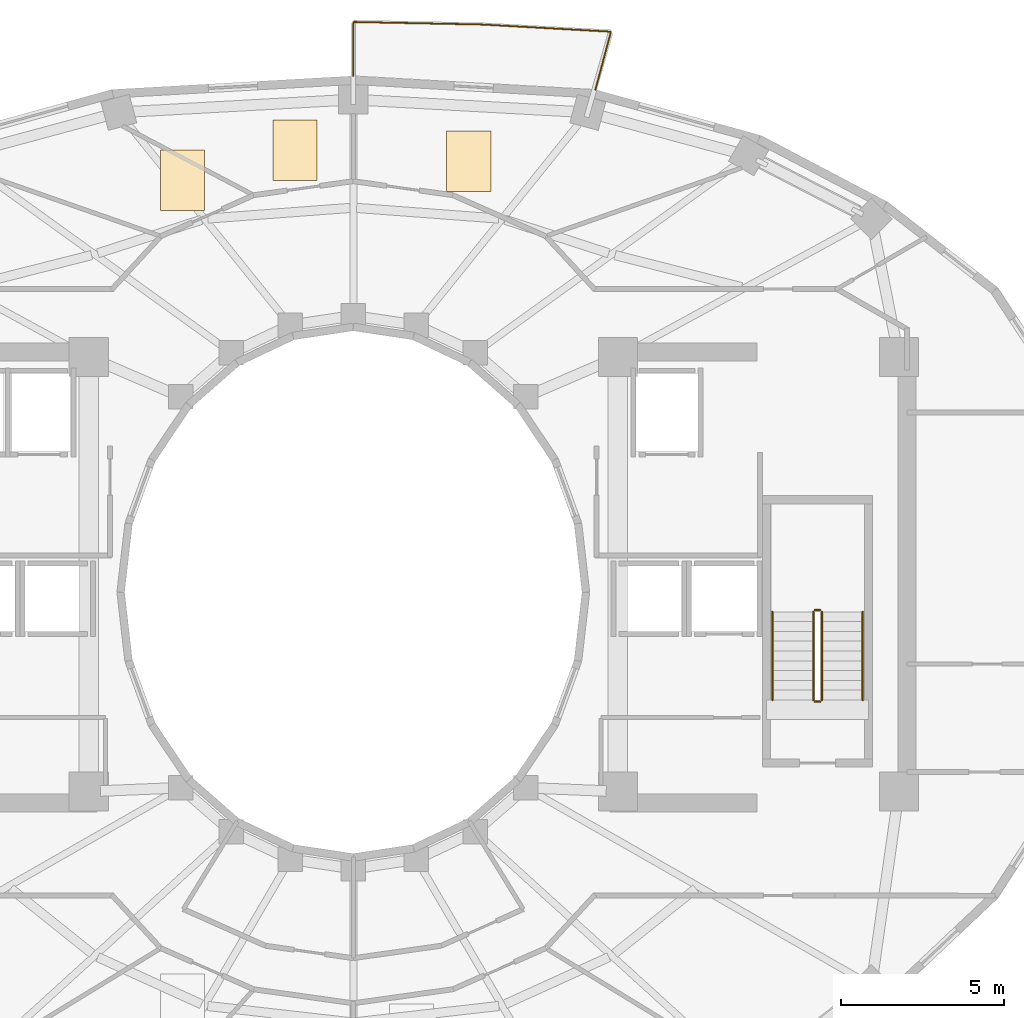
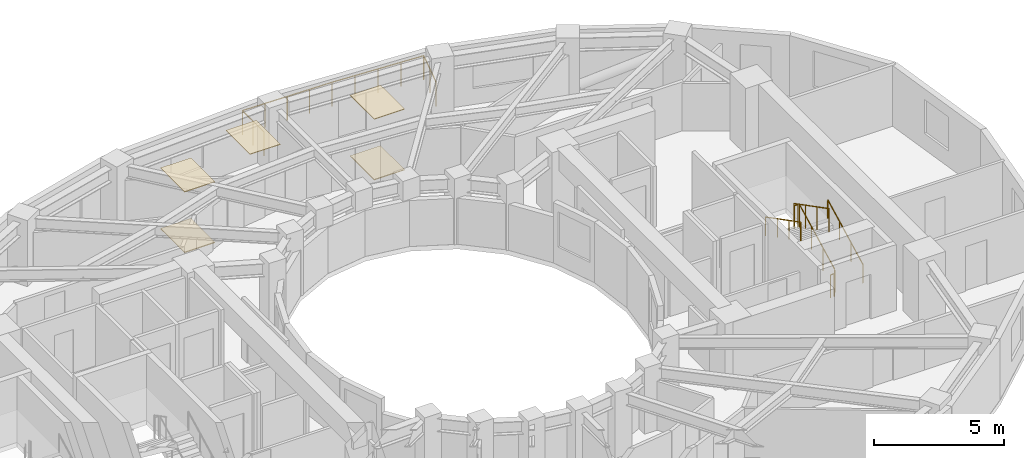
# One storey, part 9 of 9: 7 railings, 5 coverings.
"""IFC4 building model written with IfcOpenShell, lengths in metres."""

from ifc_helpers import new_model, si_unit, direction, frame, origin, origin_2d, place, context, subcontext, project, spatial, polyline, circle, outline, extrude, material, layer, layer_set, type_object, element, save


model = new_model("IFC4")

# Units and contexts
model_context = context("Model", 3, precision=1e-05, world=origin(), true_north=direction((0.0, 1.0)))
body_context = subcontext(model_context, "Body", "Model", "MODEL_VIEW")
ifc_project = project(units=[si_unit("LENGTHUNIT", "METRE"), si_unit("AREAUNIT", "SQUARE_METRE"), si_unit("VOLUMEUNIT", "CUBIC_METRE"), si_unit("PLANEANGLEUNIT", "RADIAN"), si_unit("MASSUNIT", "GRAM", prefix="KILO")], contexts=[model_context])

# Site, building, storey
site_placement = place(None, origin())
site = spatial("IfcSite", under=ifc_project, at=site_placement, CompositionType="ELEMENT")
building_placement = place(site_placement, origin())
building = spatial("IfcBuilding", under=site, at=building_placement, Name="Solvane Sanctuary Tower", CompositionType="ELEMENT")
storey_placement = place(building_placement, frame((0.0, 0.0, 174.60009765625)))
storey = spatial("IfcBuildingStorey", under=building, at=storey_placement, Name="L53", CompositionType="ELEMENT", Elevation=174.60009765625)

# Coverings
ifc_material_1 = material(Name="Acoustic Gypsum Partition Board")
ifc_layer_1 = layer(ifc_material_1, 0.02490234375, Name="Acoustic Gypsum Partition Board")
ifc_layer_set_1 = layer_set([ifc_layer_1], Name="Acoustic Gypsum Partition Board")
covering_type_1 = type_object("IfcCoveringType", Name="Covering CLG-ACOUST", PredefinedType="CEILING", material=ifc_layer_set_1)
covering_1_placement = place(storey_placement, frame((0.0, 0.0, 2.849853515625)))
element("IfcCovering", 1, at=covering_1_placement, inside=storey, type_object=covering_type_1, Name="L53 Unit Acoustic Ceiling Panel 1", PredefinedType="CEILING", context=body_context, shape_type="SweptSolid", body=[
    extrude(outline(polyline([(34.85791015625, 35.260009765625), (36.2080078125, 35.260009765625), (36.2080078125, 37.110107421875), (34.85791015625, 37.110107421875), (34.85791015625, 35.260009765625)])), origin(), (0.0, 0.0, 1.0), 0.030029296875),
])
covering_2_placement = place(storey_placement, frame((0.0, 0.0, 2.849853515625)))
element("IfcCovering", 2, at=covering_2_placement, inside=storey, type_object=covering_type_1, Name="L53 Unit Acoustic Ceiling Panel 2", PredefinedType="CEILING", context=body_context, shape_type="SweptSolid", body=[
    extrude(outline(polyline([(29.54296875, 35.60791015625), (30.89306640625, 35.60791015625), (30.89306640625, 37.4580078125), (29.54296875, 37.4580078125), (29.54296875, 35.60791015625)])), origin(), (0.0, 0.0, 1.0), 0.030029296875),
])
covering_3_placement = place(storey_placement, frame((0.0, 0.0, 2.849853515625)))
element("IfcCovering", 3, at=covering_3_placement, inside=storey, type_object=covering_type_1, Name="L53 Unit Acoustic Ceiling Panel 3", PredefinedType="CEILING", context=body_context, shape_type="SweptSolid", body=[
    extrude(outline(polyline([(26.10107421875, 34.68603515625), (27.450927734375, 34.68603515625), (27.450927734375, 36.535888671875), (26.10107421875, 36.535888671875), (26.10107421875, 34.68603515625)])), origin(), (0.0, 0.0, 1.0), 0.030029296875),
])
ifc_material_2 = material(Name="Ceramic Tile Finish")
ifc_layer_2 = layer(ifc_material_2, 0.030029296875, Name="Ceramic Tile Finish")
ifc_layer_set_2 = layer_set([ifc_layer_2], Name="Ceramic Tile Finish")
covering_type_2 = type_object("IfcCoveringType", Name="Covering FLR-TERRAZZO", PredefinedType="FLOORING", material=ifc_layer_set_2)
covering_4_placement = place(storey_placement, origin())
element("IfcCovering", 4, at=covering_4_placement, inside=storey, type_object=covering_type_2, Name="L53 Unit Terrazzo Inlay 1", PredefinedType="FLOORING", context=body_context, shape_type="SweptSolid", body=[
    extrude(outline(polyline([(34.85791015625, 35.260009765625), (36.2080078125, 35.260009765625), (36.2080078125, 37.110107421875), (34.85791015625, 37.110107421875), (34.85791015625, 35.260009765625)])), origin(), (0.0, 0.0, 1.0), 0.034912109375),
])
covering_5_placement = place(storey_placement, origin())
element("IfcCovering", 5, at=covering_5_placement, inside=storey, type_object=covering_type_2, Name="L53 Unit Terrazzo Inlay 3", PredefinedType="FLOORING", context=body_context, shape_type="SweptSolid", body=[
    extrude(outline(polyline([(26.10107421875, 34.68603515625), (27.450927734375, 34.68603515625), (27.450927734375, 36.535888671875), (26.10107421875, 36.535888671875), (26.10107421875, 34.68603515625)])), origin(), (0.0, 0.0, 1.0), 0.034912109375),
])

# Railings
ifc_material_3 = material(Name="Architectural Stainless Steel 316", Category="steel")
railing_type_1 = type_object("IfcRailingType", Name="Railing GR-BALC-1150", PredefinedType="BALUSTRADE", material=ifc_material_3)
railing_1_placement = place(storey_placement, frame((39.410400390625, 38.3818359375, 0.0)))
element("IfcRailing", 6, at=railing_1_placement, inside=storey, type_object=railing_type_1, Name="L53 Wave Balcony Balustrade NC", PredefinedType="BALUSTRADE", context=body_context, shape_type="SweptSolid", body=[
    extrude(circle(Radius=0.02392578125, at=origin_2d()), frame((0.0, 0.0, 1.1259765625), z_axis=(0.258820206775, 0.965925515019, 0.0), x_axis=(-0.965925515019, 0.258820206775, 0.0)), (0.0, 0.0, 1.0), 1.83740234375),
    extrude(circle(Radius=0.02392578125, at=origin_2d()), frame((0.4755859375, 1.77490234375, 1.1259765625), z_axis=(-0.998449690064, 0.055661624226, 0.0), x_axis=(-0.055661624226, -0.998449690064, 0.0)), (0.0, 0.0, 1.0), 3.951904296875),
    extrude(circle(Radius=0.02392578125, at=origin_2d()), frame((-3.47021484375, 1.994873046875, 1.1259765625), z_axis=(-0.999804714096, 0.019761924766, 0.0), x_axis=(-0.019761924766, -0.999804714096, 0.0)), (0.0, 0.0, 1.0), 3.94091796875),
    extrude(circle(Radius=0.02392578125, at=origin_2d()), frame((-7.410400390625, 2.07275390625, 1.1259765625), z_axis=(0.0, -1.0, 0.0), x_axis=(1.0, 0.0, 0.0)), (0.0, 0.0, 1.0), 1.654541015625),
    extrude(circle(Radius=0.02099609375, at=origin_2d()), origin(), (0.0, 0.0, 1.0), 1.101806640625),
    extrude(circle(Radius=0.02099609375, at=origin_2d()), frame((0.23779296875, 0.887451171875, 0.0)), (0.0, 0.0, 1.0), 1.101806640625),
    extrude(circle(Radius=0.02099609375, at=origin_2d()), frame((0.4755859375, 1.77490234375, 0.0)), (0.0, 0.0, 1.0), 1.101806640625),
    extrude(circle(Radius=0.02099609375, at=origin_2d()), frame((-0.5107421875, 1.829833984375, 0.0)), (0.0, 0.0, 1.0), 1.101806640625),
    extrude(circle(Radius=0.02099609375, at=origin_2d()), frame((-1.497314453125, 1.884765625, 0.0)), (0.0, 0.0, 1.0), 1.101806640625),
    extrude(circle(Radius=0.02099609375, at=origin_2d()), frame((-2.48388671875, 1.93994140625, 0.0)), (0.0, 0.0, 1.0), 1.101806640625),
    extrude(circle(Radius=0.02099609375, at=origin_2d()), frame((-3.47021484375, 1.994873046875, 0.0)), (0.0, 0.0, 1.0), 1.101806640625),
    extrude(circle(Radius=0.02099609375, at=origin_2d()), frame((-4.455322265625, 2.014404296875, 0.0)), (0.0, 0.0, 1.0), 1.101806640625),
    extrude(circle(Radius=0.02099609375, at=origin_2d()), frame((-5.4404296875, 2.03369140625, 0.0)), (0.0, 0.0, 1.0), 1.101806640625),
    extrude(circle(Radius=0.02099609375, at=origin_2d()), frame((-6.42529296875, 2.05322265625, 0.0)), (0.0, 0.0, 1.0), 1.101806640625),
    extrude(circle(Radius=0.02099609375, at=origin_2d()), frame((-7.410400390625, 2.07275390625, 0.0)), (0.0, 0.0, 1.0), 1.101806640625),
    extrude(circle(Radius=0.02099609375, at=origin_2d()), frame((-7.410400390625, 1.24560546875, 0.0)), (0.0, 0.0, 1.0), 1.101806640625),
    extrude(circle(Radius=0.02099609375, at=origin_2d()), frame((-7.410400390625, 0.418212890625, 0.0)), (0.0, 0.0, 1.0), 1.101806640625),
])
railing_2_placement = place(storey_placement, frame((46.340087890625, 19.699951171875, 0.15478515625)))
element("IfcRailing", 7, at=railing_2_placement, inside=storey, type_object=railing_type_1, Name="L53 ST-2 stair guard 1", PredefinedType="BALUSTRADE", context=body_context, shape_type="SweptSolid", body=[
    extrude(circle(Radius=0.02392578125, at=origin_2d()), frame((0.0, 0.0, 1.076171875), z_axis=(0.0, 0.888419900624, 0.459031676658), x_axis=(-1.0, 0.0, 0.0)), (0.0, 0.0, 1.0), 3.0390625),
    extrude(circle(Radius=0.02099609375, at=origin_2d()), origin(), (0.0, 0.0, 1.0), 1.052001953125),
    extrude(circle(Radius=0.02099609375, at=origin_2d()), frame((0.0, 0.89990234375, 0.465087890625)), (0.0, 0.0, 1.0), 1.052001953125),
    extrude(circle(Radius=0.02099609375, at=origin_2d()), frame((0.0, 1.800048828125, 0.929931640625)), (0.0, 0.0, 1.0), 1.052001953125),
    extrude(circle(Radius=0.02099609375, at=origin_2d()), frame((0.0, 2.699951171875, 1.39501953125)), (0.0, 0.0, 1.0), 1.052001953125),
])
railing_3_placement = place(storey_placement, frame((46.2900390625, 22.449951171875, 1.5498046875)))
element("IfcRailing", 8, at=railing_3_placement, inside=storey, type_object=railing_type_1, Name="L53 ST-2 stair guard 2", PredefinedType="BALUSTRADE", context=body_context, shape_type="SweptSolid", body=[
    extrude(circle(Radius=0.02392578125, at=origin_2d()), frame((0.0, 0.0, 1.076171875), z_axis=(-1.0, 0.0, 0.0), x_axis=(0.0, -1.0, 0.0)), (0.0, 0.0, 1.0), 0.16015625),
    extrude(circle(Radius=0.02099609375, at=origin_2d()), origin(), (0.0, 0.0, 1.0), 1.052001953125),
    extrude(circle(Radius=0.02099609375, at=origin_2d()), frame((-0.16015625, 0.0, 0.0)), (0.0, 0.0, 1.0), 1.052001953125),
])
railing_4_placement = place(storey_placement, frame((46.080078125, 22.39990234375, 1.704833984375)))
element("IfcRailing", 9, at=railing_4_placement, inside=storey, type_object=railing_type_1, Name="L53 ST-2 stair guard 3", PredefinedType="BALUSTRADE", context=body_context, shape_type="SweptSolid", body=[
    extrude(circle(Radius=0.02392578125, at=origin_2d()), frame((0.0, 0.0, 1.076171875), z_axis=(0.0, -0.888419900624, 0.459031676658), x_axis=(1.0, 0.0, 0.0)), (0.0, 0.0, 1.0), 3.0390625),
    extrude(circle(Radius=0.02099609375, at=origin_2d()), origin(), (0.0, 0.0, 1.0), 1.052001953125),
    extrude(circle(Radius=0.02099609375, at=origin_2d()), frame((0.0, -0.89990234375, 0.465087890625)), (0.0, 0.0, 1.0), 1.052001953125),
    extrude(circle(Radius=0.02099609375, at=origin_2d()), frame((0.0, -1.800048828125, 0.929931640625)), (0.0, 0.0, 1.0), 1.052001953125),
    extrude(circle(Radius=0.02099609375, at=origin_2d()), frame((0.0, -2.699951171875, 1.39501953125)), (0.0, 0.0, 1.0), 1.052001953125),
])
railing_5_placement = place(storey_placement, frame((46.2900390625, 19.64990234375, 0.0)))
element("IfcRailing", 10, at=railing_5_placement, inside=storey, type_object=railing_type_1, Name="L53 ST-2 stair guard 4", PredefinedType="BALUSTRADE", context=body_context, shape_type="SweptSolid", body=[
    extrude(circle(Radius=0.02392578125, at=origin_2d()), frame((0.0, 0.0, 1.076171875), z_axis=(-1.0, 0.0, 0.0), x_axis=(0.0, -1.0, 0.0)), (0.0, 0.0, 1.0), 0.16015625),
    extrude(circle(Radius=0.02099609375, at=origin_2d()), origin(), (0.0, 0.0, 1.0), 1.052001953125),
    extrude(circle(Radius=0.02099609375, at=origin_2d()), frame((-0.16015625, 0.0, 0.0)), (0.0, 0.0, 1.0), 1.052001953125),
])
railing_type_2 = type_object("IfcRailingType", Name="Railing HR-STAIR-920", PredefinedType="HANDRAIL", material=ifc_material_3)
railing_6_placement = place(storey_placement, frame((47.590087890625, 19.699951171875, 0.15478515625)))
element("IfcRailing", 11, at=railing_6_placement, inside=storey, type_object=railing_type_2, Name="L53 ST-2 stair handrail 1", PredefinedType="HANDRAIL", context=body_context, shape_type="SweptSolid", body=[
    extrude(circle(Radius=0.02392578125, at=origin_2d()), frame((0.0, 0.0, 0.8759765625), z_axis=(0.0, 0.888419900624, 0.459031676658), x_axis=(-1.0, 0.0, 0.0)), (0.0, 0.0, 1.0), 3.0390625),
    extrude(circle(Radius=0.02099609375, at=origin_2d()), origin(), (0.0, 0.0, 1.0), 0.851806640625),
    extrude(circle(Radius=0.02099609375, at=origin_2d()), frame((0.0, 0.89990234375, 0.465087890625)), (0.0, 0.0, 1.0), 0.851806640625),
    extrude(circle(Radius=0.02099609375, at=origin_2d()), frame((0.0, 1.800048828125, 0.929931640625)), (0.0, 0.0, 1.0), 0.851806640625),
    extrude(circle(Radius=0.02099609375, at=origin_2d()), frame((0.0, 2.699951171875, 1.39501953125)), (0.0, 0.0, 1.0), 0.851806640625),
])
railing_7_placement = place(storey_placement, frame((44.830078125, 22.39990234375, 1.704833984375)))
element("IfcRailing", 12, at=railing_7_placement, inside=storey, type_object=railing_type_2, Name="L53 ST-2 stair handrail 2", PredefinedType="HANDRAIL", context=body_context, shape_type="SweptSolid", body=[
    extrude(circle(Radius=0.02392578125, at=origin_2d()), frame((0.0, 0.0, 0.8759765625), z_axis=(0.0, -0.888419900624, 0.459031676658), x_axis=(1.0, 0.0, 0.0)), (0.0, 0.0, 1.0), 3.0390625),
    extrude(circle(Radius=0.02099609375, at=origin_2d()), origin(), (0.0, 0.0, 1.0), 0.851806640625),
    extrude(circle(Radius=0.02099609375, at=origin_2d()), frame((0.0, -0.89990234375, 0.465087890625)), (0.0, 0.0, 1.0), 0.851806640625),
    extrude(circle(Radius=0.02099609375, at=origin_2d()), frame((0.0, -1.800048828125, 0.929931640625)), (0.0, 0.0, 1.0), 0.851806640625),
    extrude(circle(Radius=0.02099609375, at=origin_2d()), frame((0.0, -2.699951171875, 1.39501953125)), (0.0, 0.0, 1.0), 0.851806640625),
])

save(model, "model.ifc")
